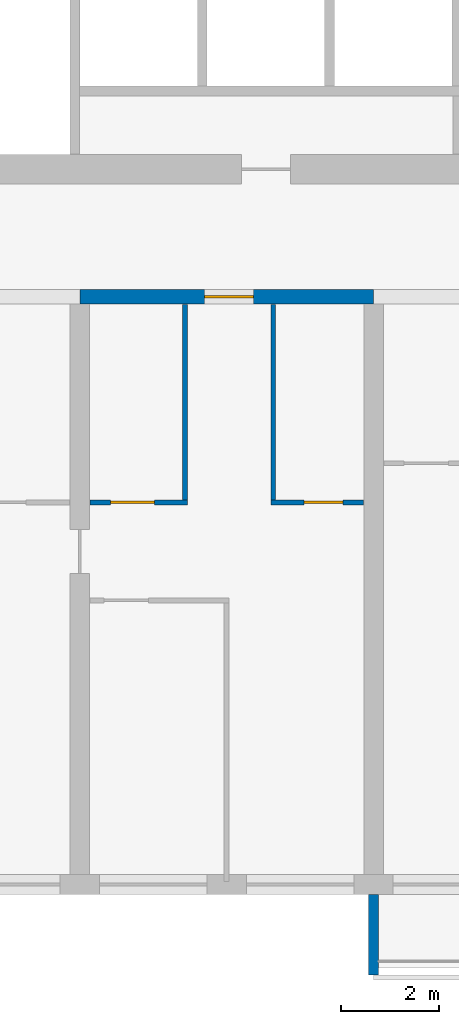
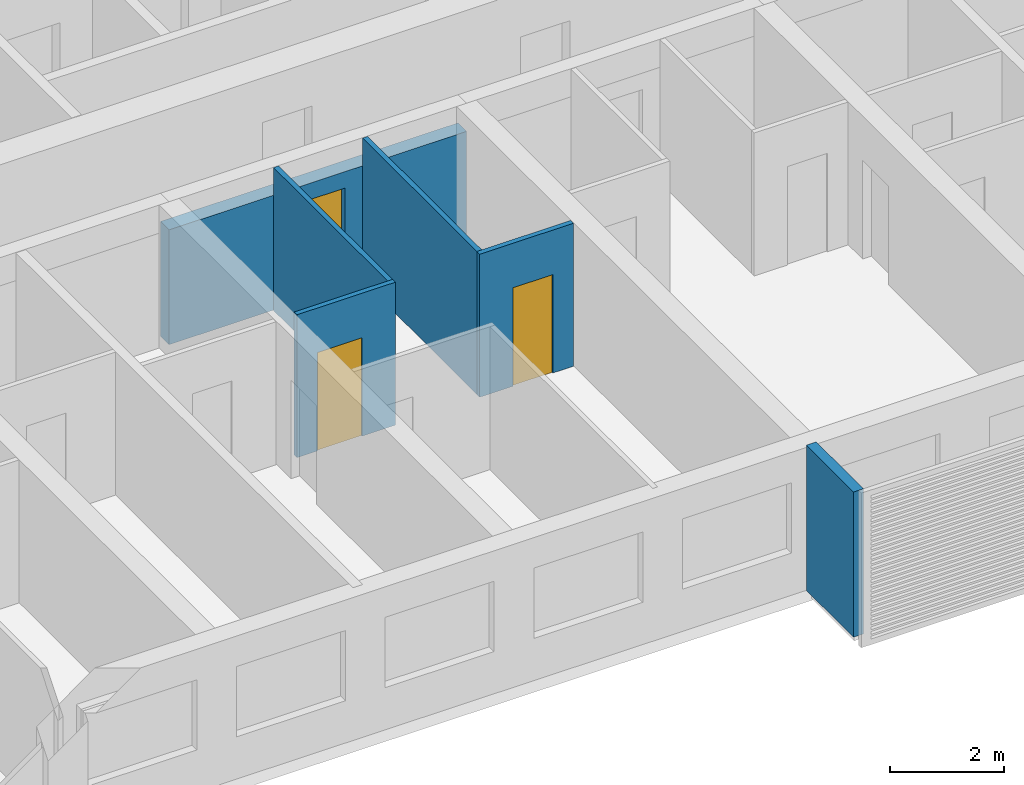
# One storey, part 4 of 40: 6 walls, 3 doors, 3 openings.
"""IFC4 building model written with IfcOpenShell, lengths in metres."""

from ifc_helpers import new_model, si_unit, direction, frame, frame_2d, origin, place, context, subcontext, project, spatial, polyline, rectangle, outline, extrude, source, transform, mapped, material, layer, layer_set, type_object, element, fill, save


model = new_model("IFC4")

# Units and contexts
model_context = context("Model", 3, precision=1e-05, world=origin(), true_north=direction((0.0, 1.0)))
body_context = subcontext(model_context, "Body", "Model", "MODEL_VIEW")
ifc_project = project(units=[si_unit("LENGTHUNIT", "METRE"), si_unit("AREAUNIT", "SQUARE_METRE"), si_unit("VOLUMEUNIT", "CUBIC_METRE"), si_unit("PLANEANGLEUNIT", "RADIAN"), si_unit("MASSUNIT", "GRAM", prefix="KILO")], contexts=[model_context])

# Site, building, storey
site_placement = place(None, origin())
site = spatial("IfcSite", under=ifc_project, at=site_placement, CompositionType="ELEMENT")
building_placement = place(site_placement, origin())
building = spatial("IfcBuilding", under=site, at=building_placement, Name="Poui Terraces", CompositionType="ELEMENT")
storey_placement = place(building_placement, frame((0.0, 0.0, 33.300048828125)))
storey = spatial("IfcBuildingStorey", under=building, at=storey_placement, Name="L08", CompositionType="ELEMENT", Elevation=33.300048828125)

# Wall, opening, door
ifc_material_1 = material(Name="Concrete 80 MPa", Category="concrete")
ifc_layer_1 = layer(ifc_material_1, 0.300048828125)
ifc_layer_set_1 = layer_set([ifc_layer_1], Name="Concrete 80 MPa")
wall_type_1 = type_object("IfcWallType", Name="CORRIDOR WALL 300 80MPa", PredefinedType="SHEAR", material=ifc_layer_set_1)
wall_1_placement = place(storey_placement, frame((42.0, 12.0, 0.0), z_axis=(0.0, 0.0, 1.0), x_axis=(1.0, 0.0, 0.0)))
wall_1 = element("IfcWall", 1, at=wall_1_placement, inside=storey, type_object=wall_type_1, Name="CORRIDOR WALL LINE B BAY 8", PredefinedType="SHEAR", context=body_context, shape_type="SweptSolid", body=[
    extrude(rectangle(XDim=6.0, YDim=0.300048828125, at=frame_2d((3.0, 0.0))), origin(), (0.0, 0.0, 1.0), 2.449951171875),
])
opening_1_placement = place(wall_1_placement, frame((2.550048828125, 0.0, 0.0)))
opening_1 = element("IfcOpeningElement", 2, at=opening_1_placement, cuts=wall_1, Name="Opening FD30S", PredefinedType="OPENING", context=body_context, shape_type="SweptSolid", body=[
    extrude(rectangle(XDim=1.0, YDim=2.10009765625, at=frame_2d((0.5, 1.050048828125))), frame((0.0, 0.16015625, 0.0), z_axis=(0.0, -1.0, 0.0), x_axis=(1.0, 0.0, 0.0)), (0.0, 0.0, 1.0), 0.320068359375),
])
ifc_material_2 = material(Name="Steel fire door", Category="steel")
door_type_1 = type_object("IfcDoorType", Name="FLAT ENTRANCE DOOR 1000 X 2100", OperationType="NOTDEFINED", PredefinedType="DOOR", material=ifc_material_2)
door_1_placement = place(opening_1_placement, frame((1.0, 0.0, 0.0), z_axis=(0.0, 0.0, 1.0), x_axis=(-1.0, 0.0, 0.0)))
door_1 = element("IfcDoor", 3, at=door_1_placement, inside=storey, type_object=door_type_1, Name="FLAT ENTRANCE DOOR 116", OperationType="SINGLE_SWING_LEFT", OverallHeight=2.10009765625, OverallWidth=1.0, PredefinedType="DOOR", context=body_context, shape_type="SweptSolid", body=[
    extrude(rectangle(XDim=1.0, YDim=2.10009765625, at=frame_2d((0.5, 1.050048828125))), frame((0.0, 0.02490234375, 0.0), z_axis=(0.0, -1.0, 0.0), x_axis=(1.0, 0.0, 0.0)), (0.0, 0.0, 1.0), 0.050048828125),
])
fill(opening_1, door_1)

ifc_material_3 = material(Name="Plasterboard partition")
ifc_layer_2 = layer(ifc_material_3, 0.10009765625)
ifc_layer_set_2 = layer_set([ifc_layer_2], Name="Plasterboard partition")
wall_type_2 = type_object("IfcWallType", Name="FLAT PARTITION 100", PredefinedType="PARTITIONING", material=ifc_layer_set_2)
wall_2_placement = place(storey_placement, frame((42.2099609375, 7.800048828125, 0.0), z_axis=(0.0, 0.0, 1.0), x_axis=(1.0, 0.0, 0.0)))
wall_2 = element("IfcWall", 4, at=wall_2_placement, inside=storey, type_object=wall_type_2, Name="FLAT PARTITION 100", PredefinedType="PARTITIONING", context=body_context, shape_type="SweptSolid", body=[
    extrude(rectangle(XDim=1.989990234375, YDim=0.10009765625, at=frame_2d((0.9951171875, 0.0))), origin(), (0.0, 0.0, 1.0), 3.050048828125),
])
opening_2_placement = place(wall_2_placement, frame((0.4150390625, 0.0, 0.0)))
opening_2 = element("IfcOpeningElement", 5, at=opening_2_placement, cuts=wall_2, Name="Opening D90", PredefinedType="OPENING", context=body_context, shape_type="SweptSolid", body=[
    extrude(rectangle(XDim=0.89990234375, YDim=2.10009765625, at=frame_2d((0.449951171875, 1.050048828125))), frame((0.0, 0.06005859375, 0.0), z_axis=(0.0, -1.0, 0.0), x_axis=(1.0, 0.0, 0.0)), (0.0, 0.0, 1.0), 0.1201171875),
])
ifc_material_4 = material(Name="Solid core timber door", Category="wood")
door_type_2 = type_object("IfcDoorType", Name="INTERNAL DOOR 900 X 2100", OperationType="NOTDEFINED", PredefinedType="DOOR", material=ifc_material_4)
door_2_placement = place(opening_2_placement, origin())
door_2 = element("IfcDoor", 6, at=door_2_placement, inside=storey, type_object=door_type_2, Name="INTERNAL DOOR 115", OperationType="SINGLE_SWING_LEFT", OverallHeight=2.10009765625, OverallWidth=0.89990234375, PredefinedType="DOOR", context=body_context, shape_type="SweptSolid", body=[
    extrude(rectangle(XDim=0.89990234375, YDim=2.10009765625, at=frame_2d((0.449951171875, 1.050048828125))), frame((0.0, 0.02490234375, 0.0), z_axis=(0.0, -1.0, 0.0), x_axis=(1.0, 0.0, 0.0)), (0.0, 0.0, 1.0), 0.050048828125),
])
fill(opening_2, door_2)

wall_3_placement = place(storey_placement, frame((45.89990234375, 7.800048828125, 0.0), z_axis=(0.0, 0.0, 1.0), x_axis=(1.0, 0.0, 0.0)))
wall_3 = element("IfcWall", 7, at=wall_3_placement, inside=storey, type_object=wall_type_2, Name="FLAT PARTITION 100", PredefinedType="PARTITIONING", context=body_context, shape_type="SweptSolid", body=[
    extrude(rectangle(XDim=1.89013671875, YDim=0.10009765625, at=frame_2d((0.945068359375, 0.0))), origin(), (0.0, 0.0, 1.0), 3.050048828125),
])
opening_3_placement = place(wall_3_placement, frame((0.675048828125, 0.0, 0.0)))
opening_3 = element("IfcOpeningElement", 8, at=opening_3_placement, cuts=wall_3, Name="Opening D80", PredefinedType="OPENING", context=body_context, shape_type="SweptSolid", body=[
    extrude(rectangle(XDim=0.800048828125, YDim=2.10009765625, at=frame_2d((0.39990234375, 1.050048828125))), frame((0.0, 0.06005859375, 0.0), z_axis=(0.0, -1.0, 0.0), x_axis=(1.0, 0.0, 0.0)), (0.0, 0.0, 1.0), 0.1201171875),
])
door_type_3 = type_object("IfcDoorType", Name="BATHROOM, LAUNDRY AND STORE DOOR 800 X 2100", OperationType="NOTDEFINED", PredefinedType="DOOR", material=ifc_material_4)
door_3_placement = place(opening_3_placement, origin())
door_3 = element("IfcDoor", 9, at=door_3_placement, inside=storey, type_object=door_type_3, Name="BATHROOM, LAUNDRY AND STORE DOOR 117", OperationType="SINGLE_SWING_RIGHT", OverallHeight=2.10009765625, OverallWidth=0.800048828125, PredefinedType="DOOR", context=body_context, shape_type="SweptSolid", body=[
    extrude(rectangle(XDim=0.800048828125, YDim=2.10009765625, at=frame_2d((0.39990234375, 1.050048828125))), frame((0.0, 0.02490234375, 0.0), z_axis=(0.0, -1.0, 0.0), x_axis=(1.0, 0.0, 0.0)), (0.0, 0.0, 1.0), 0.050048828125),
])
fill(opening_3, door_3)

# Walls
for number, where, z_axis, x_axis, name in (
    (10, (44.14990234375, 7.85009765625, 0.0), (0.0, 0.0, 1.0), (0.0, 1.0, 0.0), "FLAT PARTITION 100"),
    (11, (45.949951171875, 7.85009765625, 0.0), (0.0, 0.0, 1.0), (0.0, 1.0, 0.0), "FLAT PARTITION 100"),
):
    element("IfcWall", number, at=place(storey_placement, frame(where, z_axis=z_axis, x_axis=x_axis)), inside=storey, type_object=wall_type_2, Name=name, PredefinedType="PARTITIONING", context=body_context, shape_type="SweptSolid", body=[
        extrude(rectangle(XDim=3.989990234375, YDim=0.10009765625, at=frame_2d((1.9951171875, 0.0))), origin(), (0.0, 0.0, 1.0), 3.050048828125),
    ])
ifc_material_5 = material(Name="Precast concrete 40 MPa", Category="concrete")
ifc_layer_3 = layer(ifc_material_5, 0.199951171875)
ifc_layer_set_3 = layer_set([ifc_layer_3], Name="Precast concrete 40 MPa")
wall_type_3 = type_object("IfcWallType", Name="REAR FIN 200", PredefinedType="STANDARD", material=ifc_layer_set_3)
shared_shape = source(origin(), body_context, "Body", "SweptSolid", [
    extrude(outline(polyline([(0.0, 0.0), (0.2001953125, 0.0), (0.2001953125, 1.650146484375), (0.0, 1.650146484375), (0.0, 0.0)])), origin(), (0.0, 0.0, 1.0), 3.099853515625),
])
wall_4_placement = place(storey_placement, frame((47.89990234375, -1.85009765625, 0.0)))
element("IfcWall", 12, at=wall_4_placement, inside=storey, type_object=wall_type_3, Name="REAR FIN", PredefinedType="STANDARD", context=body_context, shape_type="MappedRepresentation", body=[
    mapped(shared_shape, transform((0.0, 0.0, 0.0))),
])

save(model, "model.ifc")
